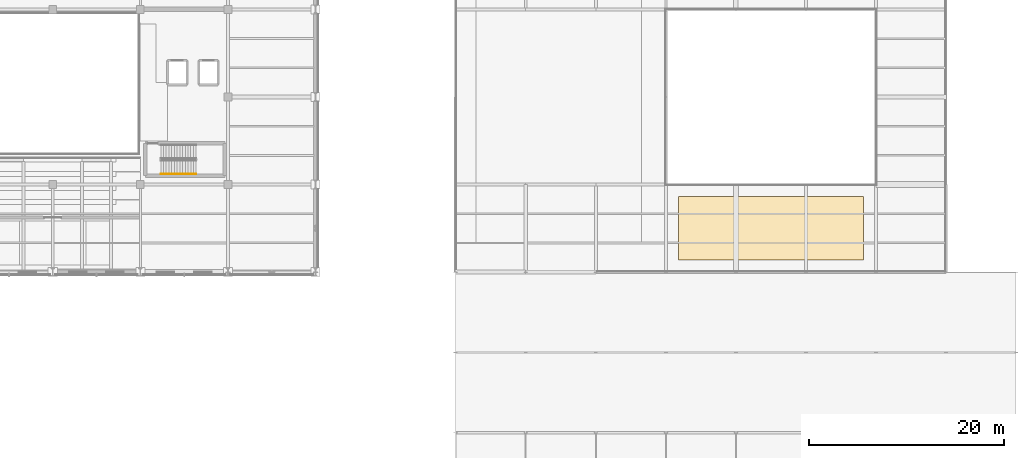
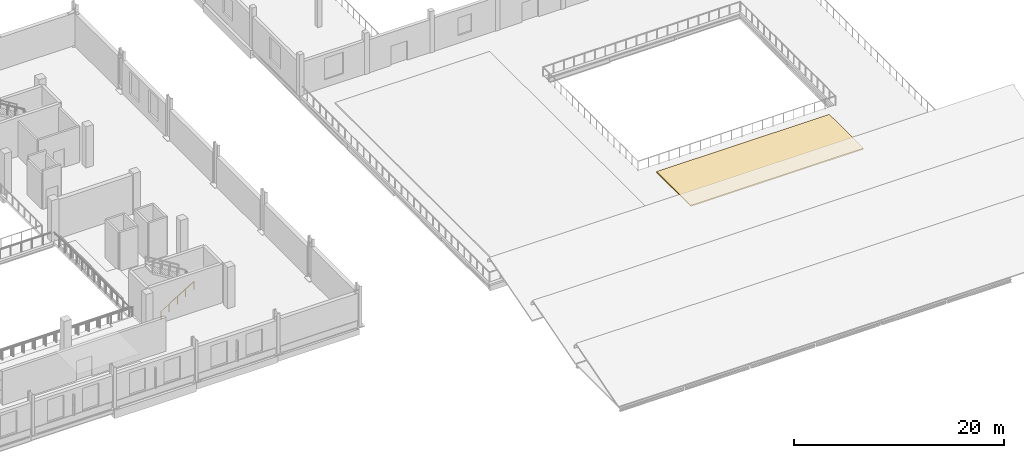
# One storey, part 47 of 54: 1 covering, 1 railing.
"""IFC4 building model written with IfcOpenShell, lengths in metres."""

import ifcopenshell
import ifcopenshell.guid

model = None  # the IFC model being written
_history = None  # IfcOwnerHistory: only IFC2X3 demands one
_inside = {}  # id of a spatial element -> (the spatial element, [elements in it])
_under = {}  # id of a project, library or spatial element -> (it, [spatial elements below it])
_declared = {}  # id of a project -> (the project, [libraries it declares])
_typed = {}  # id of a type object -> (the type object, [elements of that type])
_made_of = {}  # id of a material, layer set ... -> (it, [elements and type objects made of it])


def new_model(schema):
    """Start an empty IFC model of exactly this schema.

    Asked for "IFC4X3", IfcOpenShell would pick the latest addendum, in which some entities
    have other attributes; the version numbers below select the first issue.
    IFC2X3 requires an IfcOwnerHistory on every rooted entity: one is made here for all.
    """
    global model, _history
    if schema == "IFC4X3":
        model = ifcopenshell.file(schema_version=(4, 3, 0, 0))
    else:
        model = ifcopenshell.file(schema=schema)
    _inside.clear()
    _under.clear()
    _declared.clear()
    _typed.clear()
    _made_of.clear()
    _history = None
    if model.schema == "IFC2X3":
        org = make("IfcOrganization", Name="unknown")
        user = make(
            "IfcPersonAndOrganization",
            ThePerson=make("IfcPerson", FamilyName="unknown"),
            TheOrganization=org,
        )
        app = make(
            "IfcApplication",
            ApplicationDeveloper=org,
            Version="unknown",
            ApplicationFullName="unknown",
            ApplicationIdentifier="unknown",
        )
        _history = make(
            "IfcOwnerHistory",
            OwningUser=user,
            OwningApplication=app,
            ChangeAction="ADDED",
            CreationDate=0,
        )
    return model


def make(cls, **values):
    """One entity of the class cls with the attributes given. An attribute that is None is left unset."""
    return model.create_entity(
        cls, **{name: value for name, value in values.items() if value is not None}
    )


def rooted(cls, **values):
    """An entity with a GlobalId (a new one), such as an element, a storey or a relation."""
    return make(cls, GlobalId=ifcopenshell.guid.new(), OwnerHistory=_history, **values)


def si_unit(unit_type, name, prefix=None):
    """IfcSIUnit, for example si_unit("LENGTHUNIT", "METRE", prefix="MILLI")."""
    return make("IfcSIUnit", UnitType=unit_type, Prefix=prefix, Name=name)


def assignment(units):
    """IfcUnitAssignment: the units of a project."""
    return None if units is None else make("IfcUnitAssignment", Units=units)


def point(xyz):
    """IfcCartesianPoint."""
    return None if xyz is None else make("IfcCartesianPoint", Coordinates=xyz)


def direction(xyz):
    """IfcDirection."""
    return None if xyz is None else make("IfcDirection", DirectionRatios=xyz)


def frame(location, z_axis=None, x_axis=None):
    """IfcAxis2Placement3D, a coordinate frame: its origin and axes. An axis left out is left unset."""
    return make(
        "IfcAxis2Placement3D",
        Location=point(location),
        Axis=direction(z_axis),
        RefDirection=direction(x_axis),
    )


def frame_2d(location, x_axis=None):
    """IfcAxis2Placement2D, a coordinate frame in the plane: its origin and x axis."""
    return make(
        "IfcAxis2Placement2D", Location=point(location), RefDirection=direction(x_axis)
    )


def origin():
    """The frame at (0, 0, 0) with its axes left unset."""
    return frame((0.0, 0.0, 0.0))


def origin_2d():
    """The frame at (0, 0) in the plane with its x axis left unset."""
    return frame_2d((0.0, 0.0))


def place(relative_to, where):
    """IfcLocalPlacement: puts the frame where relative to a parent placement (None: the world)."""
    return make(
        "IfcLocalPlacement", PlacementRelTo=relative_to, RelativePlacement=where
    )


def context(
    kind, dimensions, precision=None, world=None, true_north=None, identifier=None
):
    """IfcGeometricRepresentationContext, for example the 3D "Model" context."""
    return make(
        "IfcGeometricRepresentationContext",
        ContextIdentifier=identifier,
        ContextType=kind,
        CoordinateSpaceDimension=dimensions,
        Precision=precision,
        WorldCoordinateSystem=world,
        TrueNorth=true_north,
    )


def subcontext(parent, identifier, kind, view, scale=None):
    """IfcGeometricRepresentationSubContext, for example "Body" below "Model"."""
    return make(
        "IfcGeometricRepresentationSubContext",
        ContextIdentifier=identifier,
        ContextType=kind,
        ParentContext=parent,
        TargetScale=scale,
        TargetView=view,
    )


def project(units=None, contexts=None):
    """IfcProject with its units and contexts."""
    return rooted(
        "IfcProject",
        Name="project",
        RepresentationContexts=contexts,
        UnitsInContext=assignment(units),
    )


def spatial(cls, under=None, at=None, **own):
    """A site, building, storey or space (cls), placed at a placement, below another one or the project."""
    s = rooted(cls, ObjectPlacement=at, **own)
    if under is not None:
        _under.setdefault(under.id(), (under, []))[1].append(s)
    return s


def profile(cls, at=None, kind="AREA", **sizes):
    """A parametric profile (cls). Its sizes go by their IFC names, for example OverallWidth=200.0."""
    return make(cls, ProfileType=kind, Position=at, **sizes)


def rectangle(**sizes):
    """IfcRectangleProfileDef."""
    return profile("IfcRectangleProfileDef", **sizes)


def circle(**sizes):
    """IfcCircleProfileDef."""
    return profile("IfcCircleProfileDef", **sizes)


def extrude(swept, where, along, depth):
    """IfcExtrudedAreaSolid: the profile swept, set in the frame where, extruded along a direction by depth."""
    return make(
        "IfcExtrudedAreaSolid",
        SweptArea=swept,
        Position=where,
        ExtrudedDirection=direction(along),
        Depth=depth,
    )


def shape(context_of_items, identifier, shape_type, items):
    """IfcShapeRepresentation: the items that make up one representation, for example the "Body"."""
    return make(
        "IfcShapeRepresentation",
        ContextOfItems=context_of_items,
        RepresentationIdentifier=identifier,
        RepresentationType=shape_type,
        Items=items,
    )


def material(Name=None, Category=None):
    """IfcMaterial."""
    return make("IfcMaterial", Name=Name, Category=Category)


def layer(
    of_material, thickness, ventilated=None, Name=None, Category=None, Priority=None
):
    """IfcMaterialLayer: one layer of a wall or slab, of a material (None: an air gap)."""
    return make(
        "IfcMaterialLayer",
        Material=of_material,
        LayerThickness=thickness,
        IsVentilated=ventilated,
        Name=Name,
        Category=Category,
        Priority=Priority,
    )


def layer_set(layers, Name=None):
    """IfcMaterialLayerSet."""
    return make("IfcMaterialLayerSet", MaterialLayers=layers, LayerSetName=Name)


def made_of(thing, what):
    """Note that an element or type object is made of a material, layer set ...; save() writes the relation."""
    if what is not None:
        _made_of.setdefault(what.id(), (what, []))[1].append(thing)
    return thing


def type_object(cls, material=None, **own):
    """A type object (cls), such as IfcWallType, which elements share."""
    return made_of(rooted(cls, **own), material)


def element(
    cls,
    number,
    at=None,
    inside=None,
    cuts=None,
    type_object=None,
    material=None,
    context=None,
    identifier="Body",
    shape_type=None,
    held_by="IfcProductDefinitionShape",
    body=None,
    shapes=None,
    **own,
):
    """One element of the class cls, such as IfcWall. Its Tag is "e" and its number.

    at: its placement. inside: the storey or other place that contains it. cuts: it is an
    opening in that element (IfcRelVoidsElement). A single representation is given by context,
    identifier, shape_type and body (its items); several are given by shapes. held_by: the class
    of the entity that holds the representations. save() writes the other relations.
    """
    e = rooted(cls, Tag="e%d" % number, ObjectPlacement=at, **own)
    if body is not None:
        shapes = [shape(context, identifier, shape_type, body)]
    if shapes is not None:
        e.Representation = make(held_by, Representations=shapes)
    if inside is not None:
        _inside.setdefault(inside.id(), (inside, []))[1].append(e)
    if cuts is not None:
        rooted(
            "IfcRelVoidsElement", RelatingBuildingElement=cuts, RelatedOpeningElement=e
        )
    if type_object is not None:
        _typed.setdefault(type_object.id(), (type_object, []))[1].append(e)
    return made_of(e, material)


def aggregate(whole, parts):
    """IfcRelAggregates: a whole, such as a stair, and the parts it consists of."""
    return rooted("IfcRelAggregates", RelatingObject=whole, RelatedObjects=parts)


def save(model, path):
    """Write the relations noted so far, then the file.

    IfcRelAggregates (storeys below a building ...), IfcRelContainedInSpatialStructure (elements
    in a storey), IfcRelDefinesByType, IfcRelAssociatesMaterial and IfcRelDeclares: one each for
    every whole, place, type object, material and project.
    """
    for whole, parts in _under.values():
        aggregate(whole, parts)
    for where, things in _inside.values():
        rooted(
            "IfcRelContainedInSpatialStructure",
            RelatedElements=things,
            RelatingStructure=where,
        )
    for kind, things in _typed.values():
        rooted("IfcRelDefinesByType", RelatedObjects=things, RelatingType=kind)
    for what, things in _made_of.values():
        rooted("IfcRelAssociatesMaterial", RelatedObjects=things, RelatingMaterial=what)
    for by, libraries in _declared.values():
        rooted("IfcRelDeclares", RelatingContext=by, RelatedDefinitions=libraries)
    model.write(path)


model = new_model("IFC4")

# Units and contexts
model_context = context("Model", 3, precision=1e-05, world=origin(), true_north=direction((0.0, 1.0)))
body_context = subcontext(model_context, "Body", "Model", "MODEL_VIEW")
ifc_project = project(units=[si_unit("LENGTHUNIT", "METRE"), si_unit("AREAUNIT", "SQUARE_METRE"), si_unit("VOLUMEUNIT", "CUBIC_METRE"), si_unit("PLANEANGLEUNIT", "RADIAN"), si_unit("MASSUNIT", "GRAM", prefix="KILO")], contexts=[model_context])

# Site, building, storey
site_placement = place(None, origin())
site = spatial("IfcSite", under=ifc_project, at=site_placement, CompositionType="ELEMENT")
building_placement = place(site_placement, origin())
building = spatial("IfcBuilding", under=site, at=building_placement, Name="Sundgate Opera House", CompositionType="ELEMENT")
storey_placement = place(building_placement, frame((0.0, 0.0, 16.800048828125)))
storey = spatial("IfcBuildingStorey", under=building, at=storey_placement, Name="L03", CompositionType="ELEMENT", Elevation=16.800048828125)

# Covering
ifc_material_1 = material(Name="Intensive sedum green roof substrate and membrane", Category="masonry")
ifc_layer = layer(ifc_material_1, 0.139892578125)
ifc_layer_set = layer_set([ifc_layer], Name="Intensive sedum green roof substrate and membrane")
covering_type = type_object("IfcCoveringType", Name="CV-ROOF-SEDUM", PredefinedType="ROOFING", material=ifc_layer_set)
covering_placement = place(storey_placement, frame((127.800048828125, 37.5, 0.0), z_axis=(0.0, 0.0, 1.0), x_axis=(1.0, 0.0, 0.0)))
element("IfcCovering", 1, at=covering_placement, inside=storey, type_object=covering_type, Name="L03 Roof Covering CV0121", PredefinedType="ROOFING", context=body_context, shape_type="SweptSolid", body=[
    extrude(rectangle(XDim=19.0, YDim=6.5, at=origin_2d()), origin(), (0.0, 0.0, 1.0), 0.139892578125),
])

# Railing
ifc_material_2 = material(Name="Brushed stainless steel handrail", Category="steel")
railing_type = type_object("IfcRailingType", Name="RL-STAIR-HAND-900", PredefinedType="HANDRAIL", material=ifc_material_2)
railing_placement = place(storey_placement, frame((65.10009765625, 43.10009765625, 0.17138671875)))
element("IfcRailing", 2, at=railing_placement, inside=storey, type_object=railing_type, Name="ST03L03 Handrail RL0118", PredefinedType="HANDRAIL", context=body_context, shape_type="SweptSolid", body=[
    extrude(circle(Radius=0.02392578125, at=origin_2d()), frame((0.0, 0.0, 0.8759765625), z_axis=(0.852850264322, 0.0, 0.5221555579), x_axis=(0.0, 1.0, 0.0)), (0.0, 0.0, 1.0), 4.267822265625),
    extrude(circle(Radius=0.02099609375, at=origin_2d()), origin(), (0.0, 0.0, 1.0), 0.851806640625),
    extrude(circle(Radius=0.02099609375, at=origin_2d()), frame((0.909912109375, 0.0, 0.55712890625)), (0.0, 0.0, 1.0), 0.851806640625),
    extrude(circle(Radius=0.02099609375, at=origin_2d()), frame((1.81982421875, 0.0, 1.1142578125)), (0.0, 0.0, 1.0), 0.851806640625),
    extrude(circle(Radius=0.02099609375, at=origin_2d()), frame((2.72998046875, 0.0, 1.67138671875)), (0.0, 0.0, 1.0), 0.851806640625),
    extrude(circle(Radius=0.02099609375, at=origin_2d()), frame((3.639892578125, 0.0, 2.228515625)), (0.0, 0.0, 1.0), 0.851806640625),
])

save(model, "model.ifc")
